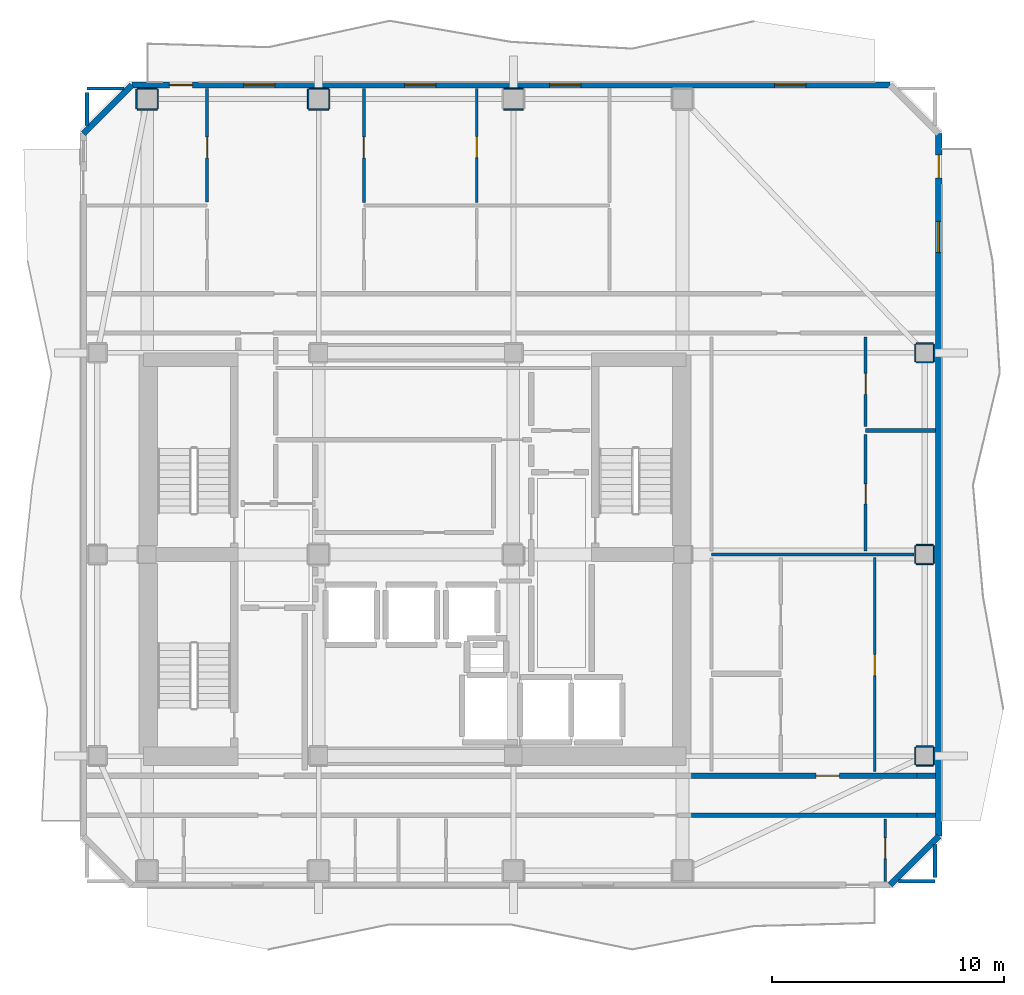
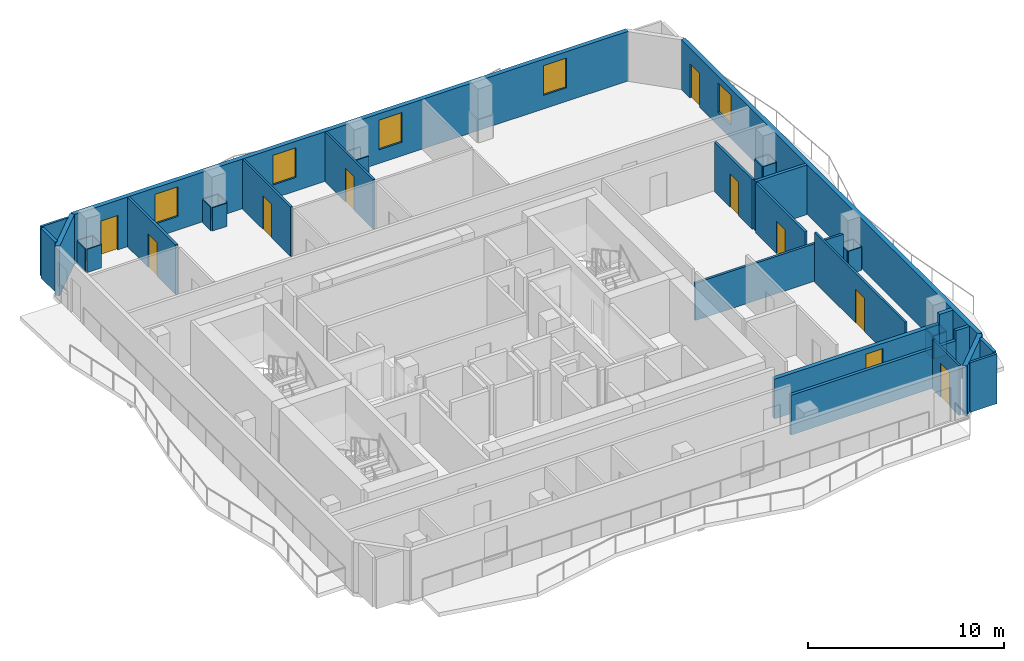
# One storey, part 5 of 9: 43 walls, 10 doors, 5 windows, 15 openings.
"""IFC4 building model written with IfcOpenShell, lengths in metres."""

from ifc_helpers import new_model, si_unit, direction, frame, frame_2d, origin, place, context, subcontext, project, spatial, rectangle, extrude, material, layer, layer_set, type_object, element, fill, save


model = new_model("IFC4")

# Units and contexts
model_context = context("Model", 3, precision=1e-05, world=origin(), true_north=direction((0.0, 1.0)))
body_context = subcontext(model_context, "Body", "Model", "MODEL_VIEW")
ifc_project = project(units=[si_unit("LENGTHUNIT", "METRE"), si_unit("AREAUNIT", "SQUARE_METRE"), si_unit("VOLUMEUNIT", "CUBIC_METRE"), si_unit("PLANEANGLEUNIT", "RADIAN"), si_unit("MASSUNIT", "GRAM", prefix="KILO")], contexts=[model_context])

# Site, building, storey
site_placement = place(None, origin())
site = spatial("IfcSite", under=ifc_project, at=site_placement, CompositionType="ELEMENT")
building_placement = place(site_placement, origin())
building = spatial("IfcBuilding", under=site, at=building_placement, Name="Solanera Arch Residences", CompositionType="ELEMENT")
storey_placement = place(building_placement, frame((0.0, 0.0, 234.60009765625)))
storey = spatial("IfcBuildingStorey", under=building, at=storey_placement, Name="L68", CompositionType="ELEMENT", Elevation=234.60009765625)

# Walls
ifc_material_1 = material(Name="Fire-Rated Gypsum Stud Partition", Category="gypsum")
ifc_layer_1 = layer(ifc_material_1, 0.06005859375)
ifc_layer_set_1 = layer_set([ifc_layer_1], Name="Fire-Rated Gypsum Stud Partition")
wall_type_1 = type_object("IfcWallType", Name="Column Acoustic Furring Wall 60", PredefinedType="PARTITIONING", material=ifc_layer_set_1)
for number, where, z_axis, x_axis, name in (
    (1, (12.97509765625, 49.89306640625, 0.0), (0.0, 0.0, 1.0), (1.0, 0.0, 0.0), "L68 Column Furring 10S"),
    (2, (12.97509765625, 50.806884765625, 0.0), (0.0, 0.0, 1.0), (1.0, 0.0, 0.0), "L68 Column Furring 10N"),
    (3, (12.943115234375, 49.925048828125, 0.0), (0.0, 0.0, 1.0), (0.0, 1.0, 0.0), "L68 Column Furring 10W"),
    (4, (13.85693359375, 49.925048828125, 0.0), (0.0, 0.0, 1.0), (0.0, 1.0, 0.0), "L68 Column Furring 10E"),
):
    element("IfcWall", number, at=place(storey_placement, frame(where, z_axis=z_axis, x_axis=x_axis)), inside=storey, type_object=wall_type_1, Name=name, PredefinedType="PARTITIONING", context=body_context, shape_type="SweptSolid", body=[
        extrude(rectangle(XDim=0.849853515625, YDim=0.06005859375, at=frame_2d((0.4248046875, 0.0))), origin(), (0.0, 0.0, 1.0), 1.449951171875),
    ])
for number, where, z_axis, x_axis, name in (
    (5, (20.375, 49.89306640625, 0.0), (0.0, 0.0, 1.0), (1.0, 0.0, 0.0), "L68 Column Furring 12S"),
    (6, (20.375, 50.806884765625, 0.0), (0.0, 0.0, 1.0), (1.0, 0.0, 0.0), "L68 Column Furring 12N"),
):
    element("IfcWall", number, at=place(storey_placement, frame(where, z_axis=z_axis, x_axis=x_axis)), inside=storey, type_object=wall_type_1, Name=name, PredefinedType="PARTITIONING", context=body_context, shape_type="SweptSolid", body=[
        extrude(rectangle(XDim=0.85009765625, YDim=0.06005859375, at=frame_2d((0.425048828125, 0.0))), origin(), (0.0, 0.0, 1.0), 1.449951171875),
    ])
for number, where, z_axis, x_axis, name in (
    (7, (20.343017578125, 49.925048828125, 0.0), (0.0, 0.0, 1.0), (0.0, 1.0, 0.0), "L68 Column Furring 12W"),
    (8, (21.257080078125, 49.925048828125, 0.0), (0.0, 0.0, 1.0), (0.0, 1.0, 0.0), "L68 Column Furring 12E"),
):
    element("IfcWall", number, at=place(storey_placement, frame(where, z_axis=z_axis, x_axis=x_axis)), inside=storey, type_object=wall_type_1, Name=name, PredefinedType="PARTITIONING", context=body_context, shape_type="SweptSolid", body=[
        extrude(rectangle(XDim=0.849853515625, YDim=0.06005859375, at=frame_2d((0.4248046875, 0.0))), origin(), (0.0, 0.0, 1.0), 1.449951171875),
    ])
for number, where, z_axis, x_axis, name in (
    (9, (28.77490234375, 49.89306640625, 0.0), (0.0, 0.0, 1.0), (1.0, 0.0, 0.0), "L68 Column Furring 14S"),
    (10, (28.77490234375, 50.806884765625, 0.0), (0.0, 0.0, 1.0), (1.0, 0.0, 0.0), "L68 Column Furring 14N"),
):
    element("IfcWall", number, at=place(storey_placement, frame(where, z_axis=z_axis, x_axis=x_axis)), inside=storey, type_object=wall_type_1, Name=name, PredefinedType="PARTITIONING", context=body_context, shape_type="SweptSolid", body=[
        extrude(rectangle(XDim=0.85009765625, YDim=0.06005859375, at=frame_2d((0.425048828125, 0.0))), origin(), (0.0, 0.0, 1.0), 1.449951171875),
    ])
for number, where, z_axis, x_axis, name in (
    (11, (46.574951171875, 21.593017578125, 0.0), (0.0, 0.0, 1.0), (1.0, 0.0, 0.0), "L68 Column Furring 18S"),
    (12, (46.574951171875, 22.406982421875, 0.0), (0.0, 0.0, 1.0), (1.0, 0.0, 0.0), "L68 Column Furring 18N"),
    (13, (46.54296875, 21.625, 0.0), (0.0, 0.0, 1.0), (0.0, 1.0, 0.0), "L68 Column Furring 18W"),
    (14, (47.35693359375, 21.625, 0.0), (0.0, 0.0, 1.0), (0.0, 1.0, 0.0), "L68 Column Furring 18E"),
    (15, (46.574951171875, 30.29296875, 0.0), (0.0, 0.0, 1.0), (1.0, 0.0, 0.0), "L68 Column Furring 20S"),
    (16, (46.574951171875, 31.10693359375, 0.0), (0.0, 0.0, 1.0), (1.0, 0.0, 0.0), "L68 Column Furring 20N"),
    (17, (46.54296875, 30.324951171875, 0.0), (0.0, 0.0, 1.0), (0.0, 1.0, 0.0), "L68 Column Furring 20W"),
    (18, (47.35693359375, 30.324951171875, 0.0), (0.0, 0.0, 1.0), (0.0, 1.0, 0.0), "L68 Column Furring 20E"),
    (19, (46.574951171875, 38.992919921875, 0.0), (0.0, 0.0, 1.0), (1.0, 0.0, 0.0), "L68 Column Furring 22S"),
    (20, (46.574951171875, 39.806884765625, 0.0), (0.0, 0.0, 1.0), (1.0, 0.0, 0.0), "L68 Column Furring 22N"),
    (21, (46.54296875, 39.02490234375, 0.0), (0.0, 0.0, 1.0), (0.0, 1.0, 0.0), "L68 Column Furring 22W"),
    (22, (47.35693359375, 39.02490234375, 0.0), (0.0, 0.0, 1.0), (0.0, 1.0, 0.0), "L68 Column Furring 22E"),
):
    element("IfcWall", number, at=place(storey_placement, frame(where, z_axis=z_axis, x_axis=x_axis)), inside=storey, type_object=wall_type_1, Name=name, PredefinedType="PARTITIONING", context=body_context, shape_type="SweptSolid", body=[
        extrude(rectangle(XDim=0.75, YDim=0.06005859375, at=frame_2d((0.375, 0.0))), origin(), (0.0, 0.0, 1.0), 1.449951171875),
    ])
ifc_material_2 = material(Name="Autoclaved Aerated Concrete Blockwork", Category="masonry")
ifc_layer_2 = layer(ifc_material_2, 0.179931640625)
ifc_layer_set_2 = layer_set([ifc_layer_2], Name="Autoclaved Aerated Concrete Blockwork")
wall_type_2 = type_object("IfcWallType", Name="Corridor Fire Partition 180", PredefinedType="PARTITIONING", material=ifc_layer_set_2)
wall_1_placement = place(storey_placement, frame((36.888916015625, 19.449951171875, 0.0), z_axis=(0.0, 0.0, 1.0), x_axis=(1.0, 0.0, 0.0)))
element("IfcWall", 23, at=wall_1_placement, inside=storey, type_object=wall_type_2, Name="L68 Interior Partition H8 2", PredefinedType="PARTITIONING", context=body_context, shape_type="SweptSolid", body=[
    extrude(rectangle(XDim=9.72216796875, YDim=0.179931640625, at=frame_2d((4.861083984375, 0.0))), origin(), (0.0, 0.0, 1.0), 2.476806640625),
])
wall_2_placement = place(storey_placement, frame((46.611083984375, 19.449951171875, 0.0), z_axis=(0.0, 0.0, 1.0), x_axis=(1.0, 0.0, 0.0)))
element("IfcWall", 24, at=wall_2_placement, inside=storey, type_object=wall_type_2, Name="L68 Interior Partition H8 3", PredefinedType="PARTITIONING", context=body_context, shape_type="SweptSolid", body=[
    extrude(rectangle(XDim=0.802001953125, YDim=0.179931640625, at=frame_2d((0.40087890625, 0.0))), origin(), (0.0, 0.0, 1.0), 3.099853515625),
])
wall_3_placement = place(storey_placement, frame((44.39990234375, 36.050048828125, 0.0), z_axis=(0.0, 0.0, 1.0), x_axis=(1.0, 0.0, 0.0)))
element("IfcWall", 25, at=wall_3_placement, inside=storey, type_object=wall_type_2, Name="L68 Interior Partition H12", PredefinedType="PARTITIONING", context=body_context, shape_type="SweptSolid", body=[
    extrude(rectangle(XDim=3.01318359375, YDim=0.179931640625, at=frame_2d((1.506591796875, 0.0))), origin(), (0.0, 0.0, 1.0), 3.099853515625),
])
wall_4_placement = place(storey_placement, frame((10.800048828125, 49.2109375, 0.0), z_axis=(0.0, 0.0, 1.0), x_axis=(0.0, 1.0, 0.0)))
element("IfcWall", 26, at=wall_4_placement, inside=storey, type_object=wall_type_2, Name="L68 Interior Partition V8", PredefinedType="PARTITIONING", context=body_context, shape_type="SweptSolid", body=[
    extrude(rectangle(XDim=1.43115234375, YDim=0.179931640625, at=frame_2d((0.715576171875, 0.0))), origin(), (0.0, 0.0, 1.0), 3.099853515625),
])
wall_5_placement = place(storey_placement, frame((47.39990234375, 16.76806640625, 0.0), z_axis=(0.0, 0.0, 1.0), x_axis=(0.0, 1.0, 0.0)))
element("IfcWall", 27, at=wall_5_placement, inside=storey, type_object=wall_type_2, Name="L68 Interior Partition V10 1", PredefinedType="PARTITIONING", context=body_context, shape_type="SweptSolid", body=[
    extrude(rectangle(XDim=1.4208984375, YDim=0.179931640625, at=frame_2d((0.71044921875, 0.0))), origin(), (0.0, 0.0, 1.0), 3.099853515625),
])
ifc_material_3 = material(Name="Precast Concrete C35/45", Category="concrete")
ifc_layer_3 = layer(ifc_material_3, 0.260009765625)
ifc_layer_set_3 = layer_set([ifc_layer_3], Name="Precast Concrete C35/45")
wall_type_3 = type_object("IfcWallType", Name="Exterior Wall Precast Masonry-Frame 260", PredefinedType="STANDARD", material=ifc_layer_set_3)
wall_6_placement = place(storey_placement, frame((10.64501953125, 48.85498046875, 0.0), z_axis=(0.0, 0.0, 1.0), x_axis=(0.707106781187, 0.707106781187, 0.0)))
element("IfcWall", 28, at=wall_6_placement, inside=storey, type_object=wall_type_3, Name="L68 Tower Exterior Precast Masonry-Frame Wall CH1", PredefinedType="STANDARD", context=body_context, shape_type="SweptSolid", body=[
    extrude(rectangle(XDim=2.969970703125, YDim=0.260009765625, at=frame_2d((1.48486328125, 0.0))), origin(), (0.0, 0.0, 1.0), 3.099853515625),
])

# Wall, openings, door, windows
wall_7_placement = place(storey_placement, frame((12.7451171875, 50.955078125, 0.0), z_axis=(0.0, 0.0, 1.0), x_axis=(1.0, 0.0, 0.0)))
wall_7 = element("IfcWall", 29, at=wall_7_placement, inside=storey, type_object=wall_type_3, Name="L68 Tower Exterior Precast Masonry-Frame Wall N", PredefinedType="STANDARD", context=body_context, shape_type="SweptSolid", body=[
    extrude(rectangle(XDim=32.7099609375, YDim=0.260009765625, at=frame_2d((16.35498046875, 0.0))), origin(), (0.0, 0.0, 1.0), 3.099853515625),
])
opening_1_placement = place(wall_7_placement, frame((1.610107421875, 0.0, 0.0)))
opening_1 = element("IfcOpeningElement", 30, at=opening_1_placement, cuts=wall_7, Name="Opening DB-01", PredefinedType="OPENING", context=body_context, shape_type="SweptSolid", body=[
    extrude(rectangle(XDim=1.0, YDim=2.14990234375, at=frame_2d((0.5, 1.074951171875))), frame((0.0, 0.139892578125, 0.0), z_axis=(0.0, -1.0, 0.0), x_axis=(1.0, 0.0, 0.0)), (0.0, 0.0, 1.0), 0.28),
])
opening_2_placement = place(wall_7_placement, frame((4.81103515625, 0.0, 0.85009765625)))
opening_2 = element("IfcOpeningElement", 31, at=opening_2_placement, cuts=wall_7, Name="Opening W-10", PredefinedType="OPENING", context=body_context, shape_type="SweptSolid", body=[
    extrude(rectangle(XDim=1.35009765625, YDim=1.85009765625, at=frame_2d((0.675048828125, 0.925048828125))), frame((0.0, 0.139892578125, 0.0), z_axis=(0.0, -1.0, 0.0), x_axis=(1.0, 0.0, 0.0)), (0.0, 0.0, 1.0), 0.28),
])
opening_3_placement = place(wall_7_placement, frame((11.764892578125, 0.0, 0.85009765625)))
opening_3 = element("IfcOpeningElement", 32, at=opening_3_placement, cuts=wall_7, Name="Opening W-10", PredefinedType="OPENING", context=body_context, shape_type="SweptSolid", body=[
    extrude(rectangle(XDim=1.35009765625, YDim=1.85009765625, at=frame_2d((0.675048828125, 0.925048828125))), frame((0.0, 0.139892578125, 0.0), z_axis=(0.0, -1.0, 0.0), x_axis=(1.0, 0.0, 0.0)), (0.0, 0.0, 1.0), 0.28),
])
opening_4_placement = place(wall_7_placement, frame((18.01611328125, 0.0, 0.85009765625)))
opening_4 = element("IfcOpeningElement", 33, at=opening_4_placement, cuts=wall_7, Name="Opening W-10", PredefinedType="OPENING", context=body_context, shape_type="SweptSolid", body=[
    extrude(rectangle(XDim=1.35009765625, YDim=1.85009765625, at=frame_2d((0.675048828125, 0.925048828125))), frame((0.0, 0.139892578125, 0.0), z_axis=(0.0, -1.0, 0.0), x_axis=(1.0, 0.0, 0.0)), (0.0, 0.0, 1.0), 0.28),
])
opening_5_placement = place(wall_7_placement, frame((27.72509765625, 0.0, 0.85009765625)))
opening_5 = element("IfcOpeningElement", 34, at=opening_5_placement, cuts=wall_7, Name="Opening W-10", PredefinedType="OPENING", context=body_context, shape_type="SweptSolid", body=[
    extrude(rectangle(XDim=1.35009765625, YDim=1.85009765625, at=frame_2d((0.675048828125, 0.925048828125))), frame((0.0, 0.139892578125, 0.0), z_axis=(0.0, -1.0, 0.0), x_axis=(1.0, 0.0, 0.0)), (0.0, 0.0, 1.0), 0.28),
])
ifc_material_4 = material(Name="Anodised Aluminium Alloy 6063-T6", Category="aluminium")
door_type_1 = type_object("IfcDoorType", Name="Glazed Balcony Swing Door DB-01", OperationType="NOTDEFINED", PredefinedType="DOOR", material=ifc_material_4)
door_1_placement = place(opening_1_placement, origin())
door_1 = element("IfcDoor", 35, at=door_1_placement, inside=storey, type_object=door_type_1, Name="DR-L68-OUT-02", OperationType="SINGLE_SWING_LEFT", OverallHeight=2.14990234375, OverallWidth=1.0, PredefinedType="DOOR", context=body_context, shape_type="SweptSolid", body=[
    extrude(rectangle(XDim=1.0, YDim=2.14990234375, at=frame_2d((0.5, 1.074951171875))), frame((0.0, 0.02490234375, 0.0), z_axis=(0.0, -1.0, 0.0), x_axis=(1.0, 0.0, 0.0)), (0.0, 0.0, 1.0), 0.050048828125),
])
fill(opening_1, door_1)
ifc_material_5 = material(Name="Double Glazed Low-E Laminated Glass", Category="glass")
window_type = type_object("IfcWindowType", Name="Punched Window W-10", PartitioningType="DOUBLE_PANEL_VERTICAL", PredefinedType="WINDOW", material=ifc_material_5)
window_1_placement = place(opening_2_placement, origin())
window_1 = element("IfcWindow", 36, at=window_1_placement, inside=storey, type_object=window_type, Name="L68 6803-LIV Punched Window", OverallHeight=1.85009765625, OverallWidth=1.35009765625, PartitioningType="SINGLE_PANEL", PredefinedType="WINDOW", context=body_context, shape_type="SweptSolid", body=[
    extrude(rectangle(XDim=1.35009765625, YDim=1.85009765625, at=frame_2d((0.675048828125, 0.925048828125))), frame((0.0, 0.030029296875, 0.0), z_axis=(0.0, -1.0, 0.0), x_axis=(1.0, 0.0, 0.0)), (0.0, 0.0, 1.0), 0.06005859375),
])
fill(opening_2, window_1)
window_2_placement = place(opening_3_placement, origin())
window_2 = element("IfcWindow", 37, at=window_2_placement, inside=storey, type_object=window_type, Name="L68 6803-BR2 Punched Window", OverallHeight=1.85009765625, OverallWidth=1.35009765625, PartitioningType="SINGLE_PANEL", PredefinedType="WINDOW", context=body_context, shape_type="SweptSolid", body=[
    extrude(rectangle(XDim=1.35009765625, YDim=1.85009765625, at=frame_2d((0.675048828125, 0.925048828125))), frame((0.0, 0.030029296875, 0.0), z_axis=(0.0, -1.0, 0.0), x_axis=(1.0, 0.0, 0.0)), (0.0, 0.0, 1.0), 0.06005859375),
])
fill(opening_3, window_2)
window_3_placement = place(opening_4_placement, origin())
window_3 = element("IfcWindow", 38, at=window_3_placement, inside=storey, type_object=window_type, Name="L68 6803-BR3 Punched Window", OverallHeight=1.85009765625, OverallWidth=1.35009765625, PartitioningType="SINGLE_PANEL", PredefinedType="WINDOW", context=body_context, shape_type="SweptSolid", body=[
    extrude(rectangle(XDim=1.35009765625, YDim=1.85009765625, at=frame_2d((0.675048828125, 0.925048828125))), frame((0.0, 0.030029296875, 0.0), z_axis=(0.0, -1.0, 0.0), x_axis=(1.0, 0.0, 0.0)), (0.0, 0.0, 1.0), 0.06005859375),
])
fill(opening_4, window_3)
window_4_placement = place(opening_5_placement, origin())
window_4 = element("IfcWindow", 39, at=window_4_placement, inside=storey, type_object=window_type, Name="L68 AMN-WIN Punched Window", OverallHeight=1.85009765625, OverallWidth=1.35009765625, PartitioningType="SINGLE_PANEL", PredefinedType="WINDOW", context=body_context, shape_type="SweptSolid", body=[
    extrude(rectangle(XDim=1.35009765625, YDim=1.85009765625, at=frame_2d((0.675048828125, 0.925048828125))), frame((0.0, 0.030029296875, 0.0), z_axis=(0.0, -1.0, 0.0), x_axis=(1.0, 0.0, 0.0)), (0.0, 0.0, 1.0), 0.06005859375),
])
fill(opening_5, window_4)

# Wall, openings, door, window
wall_8_placement = place(storey_placement, frame((47.554931640625, 48.85498046875, 0.0), z_axis=(0.0, 0.0, 1.0), x_axis=(0.0, -1.0, 0.0)))
wall_8 = element("IfcWall", 40, at=wall_8_placement, inside=storey, type_object=wall_type_3, Name="L68 Tower Exterior Precast Masonry-Frame Wall E", PredefinedType="STANDARD", context=body_context, shape_type="SweptSolid", body=[
    extrude(rectangle(XDim=30.31005859375, YDim=0.260009765625, at=frame_2d((15.155029296875, 0.0))), origin(), (0.0, 0.0, 1.0), 3.099853515625),
])
opening_6_placement = place(wall_8_placement, frame((0.909912109375, 0.0, 0.0)))
opening_6 = element("IfcOpeningElement", 41, at=opening_6_placement, cuts=wall_8, Name="Opening DB-01", PredefinedType="OPENING", context=body_context, shape_type="SweptSolid", body=[
    extrude(rectangle(XDim=1.0, YDim=2.14990234375, at=frame_2d((0.5, 1.074951171875))), frame((0.0, 0.139892578125, 0.0), z_axis=(0.0, -1.0, 0.0), x_axis=(1.0, 0.0, 0.0)), (0.0, 0.0, 1.0), 0.28),
])
opening_7_placement = place(wall_8_placement, frame((3.781982421875, 0.0, 0.85009765625)))
opening_7 = element("IfcOpeningElement", 42, at=opening_7_placement, cuts=wall_8, Name="Opening W-10", PredefinedType="OPENING", context=body_context, shape_type="SweptSolid", body=[
    extrude(rectangle(XDim=1.35009765625, YDim=1.85009765625, at=frame_2d((0.675048828125, 0.925048828125))), frame((0.0, 0.139892578125, 0.0), z_axis=(0.0, -1.0, 0.0), x_axis=(1.0, 0.0, 0.0)), (0.0, 0.0, 1.0), 0.28),
])
door_2_placement = place(opening_6_placement, origin())
door_2 = element("IfcDoor", 43, at=door_2_placement, inside=storey, type_object=door_type_1, Name="DR-L68-OUT-03", OperationType="SINGLE_SWING_RIGHT", OverallHeight=2.14990234375, OverallWidth=1.0, PredefinedType="DOOR", context=body_context, shape_type="SweptSolid", body=[
    extrude(rectangle(XDim=1.0, YDim=2.14990234375, at=frame_2d((0.5, 1.074951171875))), frame((0.0, 0.02490234375, 0.0), z_axis=(0.0, -1.0, 0.0), x_axis=(1.0, 0.0, 0.0)), (0.0, 0.0, 1.0), 0.050048828125),
])
fill(opening_6, door_2)
window_5_placement = place(opening_7_placement, origin())
window_5 = element("IfcWindow", 44, at=window_5_placement, inside=storey, type_object=window_type, Name="L68 AMN-WIN Punched Window", OverallHeight=1.85009765625, OverallWidth=1.35009765625, PartitioningType="SINGLE_PANEL", PredefinedType="WINDOW", context=body_context, shape_type="SweptSolid", body=[
    extrude(rectangle(XDim=1.35009765625, YDim=1.85009765625, at=frame_2d((0.675048828125, 0.925048828125))), frame((0.0, 0.030029296875, 0.0), z_axis=(0.0, -1.0, 0.0), x_axis=(1.0, 0.0, 0.0)), (0.0, 0.0, 1.0), 0.06005859375),
])
fill(opening_7, window_5)

# Wall
wall_9_placement = place(storey_placement, frame((47.554931640625, 18.544921875, 0.0), z_axis=(0.0, 0.0, 1.0), x_axis=(-0.707106781187, -0.707106781187, 0.0)))
element("IfcWall", 45, at=wall_9_placement, inside=storey, type_object=wall_type_3, Name="L68 Tower Exterior Precast Masonry-Frame Wall CH5", PredefinedType="STANDARD", context=body_context, shape_type="SweptSolid", body=[
    extrude(rectangle(XDim=2.9697265625, YDim=0.260009765625, at=frame_2d((1.48486328125, 0.0))), origin(), (0.0, 0.0, 1.0), 3.099853515625),
])

# Wall, opening, door
ifc_material_6 = material(Name="Autoclaved Aerated Concrete Blockwork", Category="masonry")
ifc_layer_4 = layer(ifc_material_6, 0.239990234375)
ifc_layer_set_4 = layer_set([ifc_layer_4], Name="Autoclaved Aerated Concrete Blockwork")
wall_type_4 = type_object("IfcWallType", Name="Shaft Wall Fire-Rated 240", PredefinedType="PARTITIONING", material=ifc_layer_set_4)
wall_10_placement = place(storey_placement, frame((36.888916015625, 21.14990234375, 0.0), z_axis=(0.0, 0.0, 1.0), x_axis=(1.0, 0.0, 0.0)))
wall_10 = element("IfcWall", 46, at=wall_10_placement, inside=storey, type_object=wall_type_4, Name="L68 Interior Partition H1 2", PredefinedType="PARTITIONING", context=body_context, shape_type="SweptSolid", body=[
    extrude(rectangle(XDim=9.72216796875, YDim=0.239990234375, at=frame_2d((4.861083984375, 0.0))), origin(), (0.0, 0.0, 1.0), 2.476806640625),
])
opening_8_placement = place(wall_10_placement, frame((5.3798828125, 0.0, 0.0)))
opening_8 = element("IfcOpeningElement", 47, at=opening_8_placement, cuts=wall_10, Name="Opening DI-01", PredefinedType="OPENING", context=body_context, shape_type="SweptSolid", body=[
    extrude(rectangle(XDim=1.0, YDim=2.14990234375, at=frame_2d((0.5, 1.074951171875))), frame((0.0, 0.1298828125, 0.0), z_axis=(0.0, -1.0, 0.0), x_axis=(1.0, 0.0, 0.0)), (0.0, 0.0, 1.0), 0.26),
])
ifc_material_7 = material(Name="Fire-Rated Architectural Hardwood", Category="wood")
door_type_2 = type_object("IfcDoorType", Name="Unit Entrance Fire Door DI-01", OperationType="NOTDEFINED", PredefinedType="DOOR", material=ifc_material_7)
door_3_placement = place(opening_8_placement, origin())
door_3 = element("IfcDoor", 48, at=door_3_placement, inside=storey, type_object=door_type_2, Name="DR-L68-IN-028", OperationType="SINGLE_SWING_RIGHT", OverallHeight=2.14990234375, OverallWidth=1.0, PredefinedType="DOOR", context=body_context, shape_type="SweptSolid", body=[
    extrude(rectangle(XDim=1.0, YDim=2.14990234375, at=frame_2d((0.5, 1.074951171875))), frame((0.0, 0.02490234375, 0.0), z_axis=(0.0, -1.0, 0.0), x_axis=(1.0, 0.0, 0.0)), (0.0, 0.0, 1.0), 0.050048828125),
])
fill(opening_8, door_3)

# Walls
wall_11_placement = place(storey_placement, frame((46.611083984375, 21.14990234375, 0.0), z_axis=(0.0, 0.0, 1.0), x_axis=(1.0, 0.0, 0.0)))
element("IfcWall", 49, at=wall_11_placement, inside=storey, type_object=wall_type_4, Name="L68 Interior Partition H1 3", PredefinedType="PARTITIONING", context=body_context, shape_type="SweptSolid", body=[
    extrude(rectangle(XDim=0.802001953125, YDim=0.239990234375, at=frame_2d((0.40087890625, 0.0))), origin(), (0.0, 0.0, 1.0), 3.099853515625),
])
ifc_material_8 = material(Name="Fire-Rated Gypsum Stud Partition", Category="gypsum")
ifc_layer_5 = layer(ifc_material_8, 0.1201171875)
ifc_layer_set_5 = layer_set([ifc_layer_5], Name="Fire-Rated Gypsum Stud Partition")
wall_type_5 = type_object("IfcWallType", Name="Unit Drywall Partition 120", PredefinedType="PARTITIONING", material=ifc_layer_set_5)
wall_12_placement = place(storey_placement, frame((10.800048828125, 50.800048828125, 0.0), z_axis=(0.0, 0.0, 1.0), x_axis=(1.0, 0.0, 0.0)))
element("IfcWall", 50, at=wall_12_placement, inside=storey, type_object=wall_type_5, Name="L68 Interior Partition H20 1", PredefinedType="PARTITIONING", context=body_context, shape_type="SweptSolid", body=[
    extrude(rectangle(XDim=1.5888671875, YDim=0.1201171875, at=frame_2d((0.79443359375, 0.0))), origin(), (0.0, 0.0, 1.0), 3.099853515625),
])

# Wall, opening, door
wall_13_placement = place(storey_placement, frame((22.75, 45.89404296875, 0.0), z_axis=(0.0, 0.0, 1.0), x_axis=(0.0, 1.0, 0.0)))
wall_13 = element("IfcWall", 51, at=wall_13_placement, inside=storey, type_object=wall_type_5, Name="L68 Interior Partition V19 2", PredefinedType="PARTITIONING", context=body_context, shape_type="SweptSolid", body=[
    extrude(rectangle(XDim=4.9189453125, YDim=0.1201171875, at=frame_2d((2.45947265625, 0.0))), origin(), (0.0, 0.0, 1.0), 3.099853515625),
])
opening_9_placement = place(wall_13_placement, frame((1.9208984375, 0.0, 0.0)))
opening_9 = element("IfcOpeningElement", 52, at=opening_9_placement, cuts=wall_13, Name="Opening DI-03", PredefinedType="OPENING", context=body_context, shape_type="SweptSolid", body=[
    extrude(rectangle(XDim=0.89990234375, YDim=2.10009765625, at=frame_2d((0.449951171875, 1.050048828125))), frame((0.0, 0.070068359375, 0.0), z_axis=(0.0, -1.0, 0.0), x_axis=(1.0, 0.0, 0.0)), (0.0, 0.0, 1.0), 0.1401),
])
ifc_material_9 = material(Name="Fire-Rated Architectural Hardwood", Category="wood")
door_type_3 = type_object("IfcDoorType", Name="Bedroom Swing Door DI-03", OperationType="NOTDEFINED", PredefinedType="DOOR", material=ifc_material_9)
door_4_placement = place(opening_9_placement, origin())
door_4 = element("IfcDoor", 53, at=door_4_placement, inside=storey, type_object=door_type_3, Name="DR-L68-IN-025", OperationType="SINGLE_SWING_LEFT", OverallHeight=2.10009765625, OverallWidth=0.89990234375, PredefinedType="DOOR", context=body_context, shape_type="SweptSolid", body=[
    extrude(rectangle(XDim=0.89990234375, YDim=2.10009765625, at=frame_2d((0.449951171875, 1.050048828125))), frame((0.0, 0.02490234375, 0.0), z_axis=(0.0, -1.0, 0.0), x_axis=(1.0, 0.0, 0.0)), (0.0, 0.0, 1.0), 0.050048828125),
])
fill(opening_9, door_4)

wall_14_placement = place(storey_placement, frame((27.6201171875, 45.89404296875, 0.0), z_axis=(0.0, 0.0, 1.0), x_axis=(0.0, 1.0, 0.0)))
wall_14 = element("IfcWall", 54, at=wall_14_placement, inside=storey, type_object=wall_type_5, Name="L68 Interior Partition V20 2", PredefinedType="PARTITIONING", context=body_context, shape_type="SweptSolid", body=[
    extrude(rectangle(XDim=4.9189453125, YDim=0.1201171875, at=frame_2d((2.45947265625, 0.0))), origin(), (0.0, 0.0, 1.0), 3.099853515625),
])
opening_10_placement = place(wall_14_placement, frame((1.93408203125, 0.0, 0.0)))
opening_10 = element("IfcOpeningElement", 55, at=opening_10_placement, cuts=wall_14, Name="Opening DI-03", PredefinedType="OPENING", context=body_context, shape_type="SweptSolid", body=[
    extrude(rectangle(XDim=0.89990234375, YDim=2.10009765625, at=frame_2d((0.449951171875, 1.050048828125))), frame((0.0, 0.070068359375, 0.0), z_axis=(0.0, -1.0, 0.0), x_axis=(1.0, 0.0, 0.0)), (0.0, 0.0, 1.0), 0.1401),
])
door_5_placement = place(opening_10_placement, origin())
door_5 = element("IfcDoor", 56, at=door_5_placement, inside=storey, type_object=door_type_3, Name="DR-L68-IN-026", OperationType="SINGLE_SWING_RIGHT", OverallHeight=2.10009765625, OverallWidth=0.89990234375, PredefinedType="DOOR", context=body_context, shape_type="SweptSolid", body=[
    extrude(rectangle(XDim=0.89990234375, YDim=2.10009765625, at=frame_2d((0.449951171875, 1.050048828125))), frame((0.0, 0.02490234375, 0.0), z_axis=(0.0, -1.0, 0.0), x_axis=(1.0, 0.0, 0.0)), (0.0, 0.0, 1.0), 0.050048828125),
])
fill(opening_10, door_5)

wall_15_placement = place(storey_placement, frame((44.794921875, 21.337890625, 0.0), z_axis=(0.0, 0.0, 1.0), x_axis=(0.0, 1.0, 0.0)))
wall_15 = element("IfcWall", 57, at=wall_15_placement, inside=storey, type_object=wall_type_5, Name="L68 Interior Partition V22", PredefinedType="PARTITIONING", context=body_context, shape_type="SweptSolid", body=[
    extrude(rectangle(XDim=9.22412109375, YDim=0.1201171875, at=frame_2d((4.612060546875, 0.0))), origin(), (0.0, 0.0, 1.0), 3.099853515625),
])
opening_11_placement = place(wall_15_placement, frame((4.136962890625, 0.0, 0.0)))
opening_11 = element("IfcOpeningElement", 58, at=opening_11_placement, cuts=wall_15, Name="Opening DI-02", PredefinedType="OPENING", context=body_context, shape_type="SweptSolid", body=[
    extrude(rectangle(XDim=0.89990234375, YDim=2.10009765625, at=frame_2d((0.449951171875, 1.050048828125))), frame((0.0, 0.070068359375, 0.0), z_axis=(0.0, -1.0, 0.0), x_axis=(1.0, 0.0, 0.0)), (0.0, 0.0, 1.0), 0.1401),
])
ifc_material_10 = material(Name="Fire-Rated Architectural Hardwood", Category="wood")
door_type_4 = type_object("IfcDoorType", Name="Suite Room Swing Door DI-02", OperationType="NOTDEFINED", PredefinedType="DOOR", material=ifc_material_10)
door_6_placement = place(opening_11_placement, origin())
door_6 = element("IfcDoor", 59, at=door_6_placement, inside=storey, type_object=door_type_4, Name="DR-L68-IN-031", OperationType="SINGLE_SWING_LEFT", OverallHeight=2.10009765625, OverallWidth=0.89990234375, PredefinedType="DOOR", context=body_context, shape_type="SweptSolid", body=[
    extrude(rectangle(XDim=0.89990234375, YDim=2.10009765625, at=frame_2d((0.449951171875, 1.050048828125))), frame((0.0, 0.02490234375, 0.0), z_axis=(0.0, -1.0, 0.0), x_axis=(1.0, 0.0, 0.0)), (0.0, 0.0, 1.0), 0.050048828125),
])
fill(opening_11, door_6)

wall_16_placement = place(storey_placement, frame((45.25, 16.5869140625, 0.0), z_axis=(0.0, 0.0, 1.0), x_axis=(0.0, 1.0, 0.0)))
wall_16 = element("IfcWall", 60, at=wall_16_placement, inside=storey, type_object=wall_type_5, Name="L68 Interior Partition V23", PredefinedType="PARTITIONING", context=body_context, shape_type="SweptSolid", body=[
    extrude(rectangle(XDim=2.705078125, YDim=0.1201171875, at=frame_2d((1.3525390625, 0.0))), origin(), (0.0, 0.0, 1.0), 3.099853515625),
])
opening_12_placement = place(wall_16_placement, frame((0.988037109375, 0.0, 0.0)))
opening_12 = element("IfcOpeningElement", 61, at=opening_12_placement, cuts=wall_16, Name="Opening DI-02", PredefinedType="OPENING", context=body_context, shape_type="SweptSolid", body=[
    extrude(rectangle(XDim=0.89990234375, YDim=2.10009765625, at=frame_2d((0.449951171875, 1.050048828125))), frame((0.0, 0.070068359375, 0.0), z_axis=(0.0, -1.0, 0.0), x_axis=(1.0, 0.0, 0.0)), (0.0, 0.0, 1.0), 0.1401),
])
door_7_placement = place(opening_12_placement, origin())
door_7 = element("IfcDoor", 62, at=door_7_placement, inside=storey, type_object=door_type_4, Name="DR-L68-IN-019", OperationType="SINGLE_SWING_LEFT", OverallHeight=2.10009765625, OverallWidth=0.89990234375, PredefinedType="DOOR", context=body_context, shape_type="SweptSolid", body=[
    extrude(rectangle(XDim=0.89990234375, YDim=2.10009765625, at=frame_2d((0.449951171875, 1.050048828125))), frame((0.0, 0.02490234375, 0.0), z_axis=(0.0, -1.0, 0.0), x_axis=(1.0, 0.0, 0.0)), (0.0, 0.0, 1.0), 0.050048828125),
])
fill(opening_12, door_7)

# Walls
ifc_material_11 = material(Name="Autoclaved Aerated Concrete Blockwork", Category="masonry")
ifc_layer_6 = layer(ifc_material_11, 0.139892578125)
ifc_layer_set_6 = layer_set([ifc_layer_6], Name="Autoclaved Aerated Concrete Blockwork")
wall_type_6 = type_object("IfcWallType", Name="Wet-Room Partition 140", PredefinedType="PARTITIONING", material=ifc_layer_set_6)
wall_17_placement = place(storey_placement, frame((45.81103515625, 16.60009765625, 0.0), z_axis=(0.0, 0.0, 1.0), x_axis=(1.0, 0.0, 0.0)))
element("IfcWall", 63, at=wall_17_placement, inside=storey, type_object=wall_type_6, Name="L68 Interior Partition H15 2", PredefinedType="PARTITIONING", context=body_context, shape_type="SweptSolid", body=[
    extrude(rectangle(XDim=1.5888671875, YDim=0.139892578125, at=frame_2d((0.79443359375, 0.0))), origin(), (0.0, 0.0, 1.0), 3.099853515625),
])
wall_18_placement = place(storey_placement, frame((37.75, 30.699951171875, 0.0), z_axis=(0.0, 0.0, 1.0), x_axis=(1.0, 0.0, 0.0)))
element("IfcWall", 64, at=wall_18_placement, inside=storey, type_object=wall_type_6, Name="L68 Interior Partition H16", PredefinedType="PARTITIONING", context=body_context, shape_type="SweptSolid", body=[
    extrude(rectangle(XDim=8.742919921875, YDim=0.139892578125, at=frame_2d((4.37158203125, 0.0))), origin(), (0.0, 0.0, 1.0), 2.3349609375),
])

# Wall, opening, door
wall_19_placement = place(storey_placement, frame((15.986083984375, 45.904052734375, 0.0), z_axis=(0.0, 0.0, 1.0), x_axis=(0.0, 1.0, 0.0)))
wall_19 = element("IfcWall", 65, at=wall_19_placement, inside=storey, type_object=wall_type_6, Name="L68 Interior Partition V12 2", PredefinedType="PARTITIONING", context=body_context, shape_type="SweptSolid", body=[
    extrude(rectangle(XDim=4.908935546875, YDim=0.139892578125, at=frame_2d((2.45458984375, 0.0))), origin(), (0.0, 0.0, 1.0), 3.099853515625),
])
opening_13_placement = place(wall_19_placement, frame((1.910888671875, 0.0, 0.0)))
opening_13 = element("IfcOpeningElement", 66, at=opening_13_placement, cuts=wall_19, Name="Opening DI-03", PredefinedType="OPENING", context=body_context, shape_type="SweptSolid", body=[
    extrude(rectangle(XDim=0.89990234375, YDim=2.10009765625, at=frame_2d((0.449951171875, 1.050048828125))), frame((0.0, 0.079833984375, 0.0), z_axis=(0.0, -1.0, 0.0), x_axis=(1.0, 0.0, 0.0)), (0.0, 0.0, 1.0), 0.1599),
])
door_8_placement = place(opening_13_placement, origin())
door_8 = element("IfcDoor", 67, at=door_8_placement, inside=storey, type_object=door_type_3, Name="DR-L68-IN-022", OperationType="SINGLE_SWING_RIGHT", OverallHeight=2.10009765625, OverallWidth=0.89990234375, PredefinedType="DOOR", context=body_context, shape_type="SweptSolid", body=[
    extrude(rectangle(XDim=0.89990234375, YDim=2.10009765625, at=frame_2d((0.449951171875, 1.050048828125))), frame((0.0, 0.02490234375, 0.0), z_axis=(0.0, -1.0, 0.0), x_axis=(1.0, 0.0, 0.0)), (0.0, 0.0, 1.0), 0.050048828125),
])
fill(opening_13, door_8)

wall_20_placement = place(storey_placement, frame((44.39990234375, 30.847900390625, 0.0), z_axis=(0.0, 0.0, 1.0), x_axis=(0.0, 1.0, 0.0)))
wall_20 = element("IfcWall", 68, at=wall_20_placement, inside=storey, type_object=wall_type_6, Name="L68 Interior Partition V17 1", PredefinedType="PARTITIONING", context=body_context, shape_type="SweptSolid", body=[
    extrude(rectangle(XDim=5.0341796875, YDim=0.139892578125, at=frame_2d((2.51708984375, 0.0))), origin(), (0.0, 0.0, 1.0), 3.099853515625),
])
opening_14_placement = place(wall_20_placement, frame((2.034912109375, 0.0, 0.0)))
opening_14 = element("IfcOpeningElement", 69, at=opening_14_placement, cuts=wall_20, Name="Opening DI-05", PredefinedType="OPENING", context=body_context, shape_type="SweptSolid", body=[
    extrude(rectangle(XDim=0.860107421875, YDim=2.02001953125, at=frame_2d((0.43017578125, 1.010009765625))), frame((0.0, 0.079833984375, 0.0), z_axis=(0.0, -1.0, 0.0), x_axis=(1.0, 0.0, 0.0)), (0.0, 0.0, 1.0), 0.1599),
])
ifc_material_12 = material(Name="Fire-Rated Architectural Hardwood", Category="wood")
door_type_5 = type_object("IfcDoorType", Name="Bathroom Swing Door DI-05", OperationType="NOTDEFINED", PredefinedType="DOOR", material=ifc_material_12)
door_9_placement = place(opening_14_placement, origin())
door_9 = element("IfcDoor", 70, at=door_9_placement, inside=storey, type_object=door_type_5, Name="DR-L68-IN-034", OperationType="SINGLE_SWING_RIGHT", OverallHeight=2.02001953125, OverallWidth=0.860107421875, PredefinedType="DOOR", context=body_context, shape_type="SweptSolid", body=[
    extrude(rectangle(XDim=0.860107421875, YDim=2.02001953125, at=frame_2d((0.43017578125, 1.010009765625))), frame((0.0, 0.02490234375, 0.0), z_axis=(0.0, -1.0, 0.0), x_axis=(1.0, 0.0, 0.0)), (0.0, 0.0, 1.0), 0.050048828125),
])
fill(opening_14, door_9)

wall_21_placement = place(storey_placement, frame((44.39990234375, 36.218017578125, 0.0), z_axis=(0.0, 0.0, 1.0), x_axis=(0.0, 1.0, 0.0)))
wall_21 = element("IfcWall", 71, at=wall_21_placement, inside=storey, type_object=wall_type_6, Name="L68 Interior Partition V17 2", PredefinedType="PARTITIONING", context=body_context, shape_type="SweptSolid", body=[
    extrude(rectangle(XDim=3.864013671875, YDim=0.139892578125, at=frame_2d((1.93212890625, 0.0))), origin(), (0.0, 0.0, 1.0), 3.099853515625),
])
opening_15_placement = place(wall_21_placement, frame((1.39404296875, 0.0, 0.0)))
opening_15 = element("IfcOpeningElement", 72, at=opening_15_placement, cuts=wall_21, Name="Opening DI-02", PredefinedType="OPENING", context=body_context, shape_type="SweptSolid", body=[
    extrude(rectangle(XDim=0.89990234375, YDim=2.10009765625, at=frame_2d((0.449951171875, 1.050048828125))), frame((0.0, 0.079833984375, 0.0), z_axis=(0.0, -1.0, 0.0), x_axis=(1.0, 0.0, 0.0)), (0.0, 0.0, 1.0), 0.1599),
])
door_10_placement = place(opening_15_placement, origin())
door_10 = element("IfcDoor", 73, at=door_10_placement, inside=storey, type_object=door_type_4, Name="DR-L68-IN-033", OperationType="SINGLE_SWING_LEFT", OverallHeight=2.10009765625, OverallWidth=0.89990234375, PredefinedType="DOOR", context=body_context, shape_type="SweptSolid", body=[
    extrude(rectangle(XDim=0.89990234375, YDim=2.10009765625, at=frame_2d((0.449951171875, 1.050048828125))), frame((0.0, 0.02490234375, 0.0), z_axis=(0.0, -1.0, 0.0), x_axis=(1.0, 0.0, 0.0)), (0.0, 0.0, 1.0), 0.050048828125),
])
fill(opening_15, door_10)

save(model, "model.ifc")
